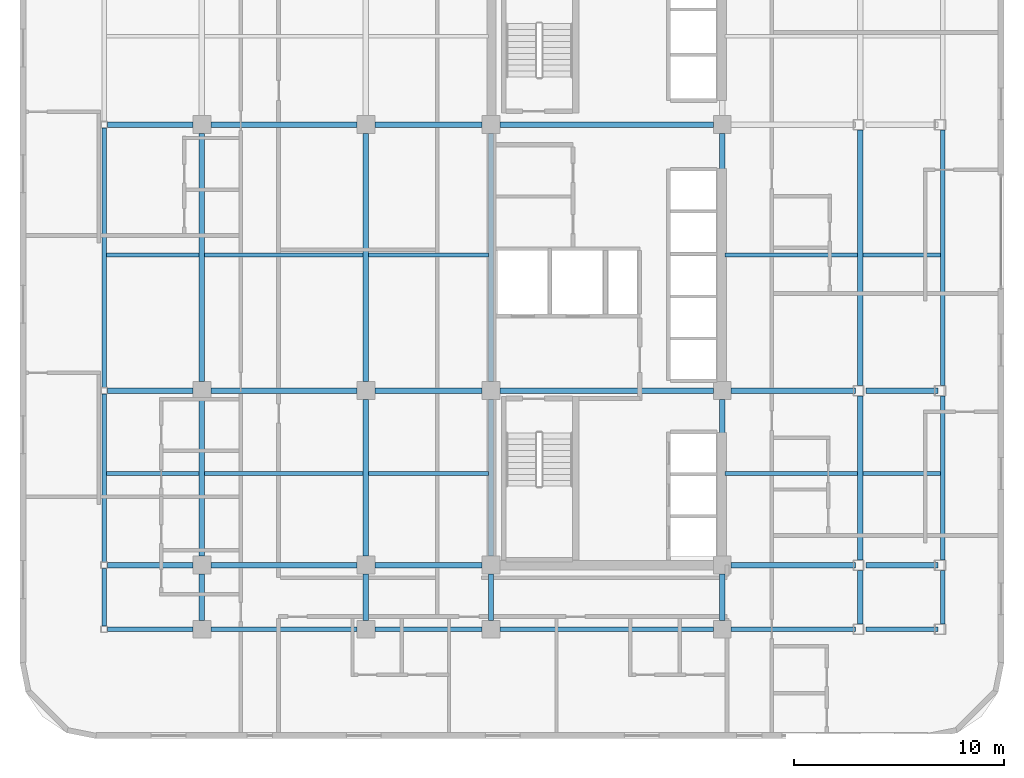
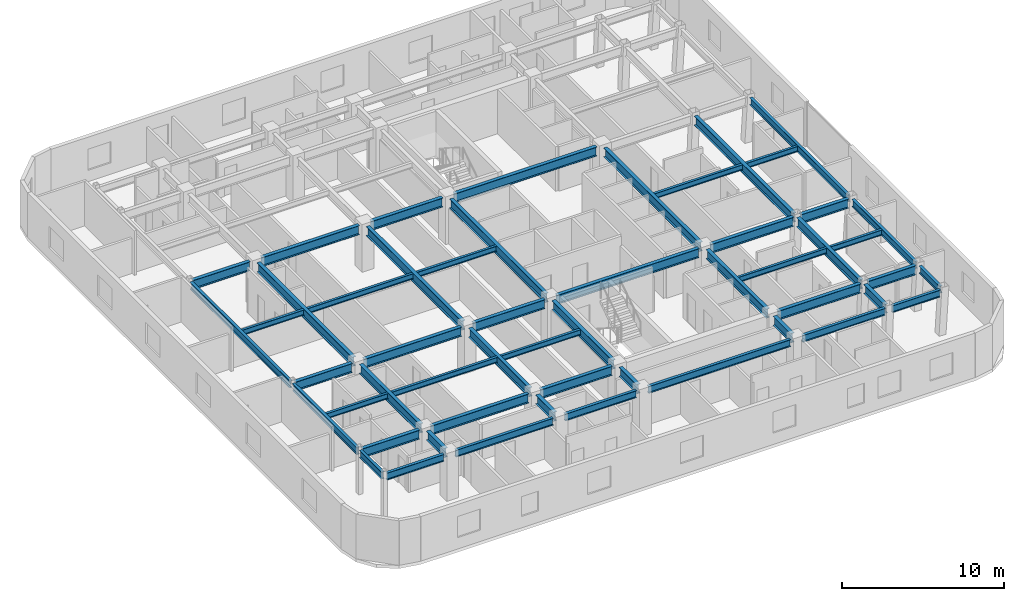
# One storey, part 4 of 13: 52 beams.
"""IFC4 building model written with IfcOpenShell, lengths in metres."""

from ifc_helpers import new_model, si_unit, direction, frame, origin, origin_2d, place, context, subcontext, project, spatial, i_section, extrude, material, material_profile, profile_set, type_object, element, save


model = new_model("IFC4")

# Units and contexts
model_context = context("Model", 3, precision=1e-05, world=origin(), true_north=direction((0.0, 1.0)))
body_context = subcontext(model_context, "Body", "Model", "MODEL_VIEW")
ifc_project = project(units=[si_unit("LENGTHUNIT", "METRE"), si_unit("AREAUNIT", "SQUARE_METRE"), si_unit("VOLUMEUNIT", "CUBIC_METRE"), si_unit("PLANEANGLEUNIT", "RADIAN"), si_unit("MASSUNIT", "GRAM", prefix="KILO")], contexts=[model_context])

# Site, building, storey
site_placement = place(None, origin())
site = spatial("IfcSite", under=ifc_project, at=site_placement, CompositionType="ELEMENT")
building_placement = place(site_placement, origin())
building = spatial("IfcBuilding", under=site, at=building_placement, Name="Ochreholt Gables", CompositionType="ELEMENT")
storey_placement = place(building_placement, frame((0.0, 0.0, 49.199951171875)))
storey = spatial("IfcBuildingStorey", under=building, at=storey_placement, Name="L12", CompositionType="ELEMENT", Elevation=49.199951171875)

# Beams
ifc_material = material(Name="Steel CSA G40.21 350W", Category="steel")
ifc_material_profile_1 = material_profile(ifc_material, i_section(OverallWidth=0.256103515625, OverallDepth=0.693115234375, WebThickness=0.014404296875, FlangeThickness=0.023681640625, at=origin_2d()), Name="W690X170")
ifc_profile_set_1 = profile_set([ifc_material_profile_1], Name="Steel CSA G40.21 350W")
beam_type_1 = type_object("IfcBeamType", Name="BM-G-W690", PredefinedType="BEAM", material=ifc_profile_set_1)
beam_1_placement = place(storey_placement, frame((5.9521484375, 9.25, 3.013427734375), z_axis=(1.0, 0.0, 0.0), x_axis=(0.0, 1.0, 0.0)))
element("IfcBeam", 1, at=beam_1_placement, inside=storey, type_object=beam_type_1, Name="L12 Beam TBG-L12-WTW2-Y2", PredefinedType="BEAM", context=body_context, shape_type="SweptSolid", body=[
    extrude(i_section(OverallWidth=0.256103515625, OverallDepth=0.693115234375, WebThickness=0.014404296875, FlangeThickness=0.023681640625, at=origin_2d()), origin(), (0.0, 0.0, 1.0), 4.0732421875),
])
beam_2_placement = place(storey_placement, frame((10.87451171875, 9.25, 3.013427734375), z_axis=(1.0, 0.0, 0.0), x_axis=(0.0, 1.0, 0.0)))
element("IfcBeam", 2, at=beam_2_placement, inside=storey, type_object=beam_type_1, Name="L12 Beam TBG-L12-W2W3-Y2", PredefinedType="BEAM", context=body_context, shape_type="SweptSolid", body=[
    extrude(i_section(OverallWidth=0.256103515625, OverallDepth=0.693115234375, WebThickness=0.014404296875, FlangeThickness=0.023681640625, at=origin_2d()), origin(), (0.0, 0.0, 1.0), 6.950927734375),
])
beam_3_placement = place(storey_placement, frame((18.674560546875, 9.25, 3.013427734375), z_axis=(1.0, 0.0, 0.0), x_axis=(0.0, 1.0, 0.0)))
element("IfcBeam", 3, at=beam_3_placement, inside=storey, type_object=beam_type_1, Name="L12 Beam TBG-L12-W3C1-Y2", PredefinedType="BEAM", context=body_context, shape_type="SweptSolid", body=[
    extrude(i_section(OverallWidth=0.256103515625, OverallDepth=0.693115234375, WebThickness=0.014404296875, FlangeThickness=0.023681640625, at=origin_2d()), origin(), (0.0, 0.0, 1.0), 5.100830078125),
])
beam_4_placement = place(storey_placement, frame((35.62451171875, 9.25, 3.013427734375), z_axis=(1.0, 0.0, 0.0), x_axis=(0.0, 1.0, 0.0)))
element("IfcBeam", 4, at=beam_4_placement, inside=storey, type_object=beam_type_1, Name="L12 Beam TBG-L12-C2EM-Y2", PredefinedType="BEAM", context=body_context, shape_type="SweptSolid", body=[
    extrude(i_section(OverallWidth=0.256103515625, OverallDepth=0.693115234375, WebThickness=0.014404296875, FlangeThickness=0.023681640625, at=origin_2d()), origin(), (0.0, 0.0, 1.0), 5.909912109375),
])
beam_5_placement = place(storey_placement, frame((42.03369140625, 9.25, 3.013427734375), z_axis=(1.0, 0.0, 0.0), x_axis=(0.0, 1.0, 0.0)))
element("IfcBeam", 5, at=beam_5_placement, inside=storey, type_object=beam_type_1, Name="L12 Beam TBG-L12-EMEE-Y2", PredefinedType="BEAM", context=body_context, shape_type="SweptSolid", body=[
    extrude(i_section(OverallWidth=0.256103515625, OverallDepth=0.693115234375, WebThickness=0.014404296875, FlangeThickness=0.023681640625, at=origin_2d()), origin(), (0.0, 0.0, 1.0), 3.435791015625),
])
beam_6_placement = place(storey_placement, frame((5.9521484375, 17.550048828125, 3.013427734375), z_axis=(1.0, 0.0, 0.0), x_axis=(0.0, 1.0, 0.0)))
element("IfcBeam", 6, at=beam_6_placement, inside=storey, type_object=beam_type_1, Name="L12 Beam TBG-L12-WTW2-Y3", PredefinedType="BEAM", context=body_context, shape_type="SweptSolid", body=[
    extrude(i_section(OverallWidth=0.256103515625, OverallDepth=0.693115234375, WebThickness=0.014404296875, FlangeThickness=0.023681640625, at=origin_2d()), origin(), (0.0, 0.0, 1.0), 4.0732421875),
])
beam_7_placement = place(storey_placement, frame((10.87451171875, 17.550048828125, 3.013427734375), z_axis=(1.0, 0.0, 0.0), x_axis=(0.0, 1.0, 0.0)))
element("IfcBeam", 7, at=beam_7_placement, inside=storey, type_object=beam_type_1, Name="L12 Beam TBG-L12-W2W3-Y3", PredefinedType="BEAM", context=body_context, shape_type="SweptSolid", body=[
    extrude(i_section(OverallWidth=0.256103515625, OverallDepth=0.693115234375, WebThickness=0.014404296875, FlangeThickness=0.023681640625, at=origin_2d()), origin(), (0.0, 0.0, 1.0), 6.950927734375),
])
beam_8_placement = place(storey_placement, frame((18.674560546875, 17.550048828125, 3.013427734375), z_axis=(1.0, 0.0, 0.0), x_axis=(0.0, 1.0, 0.0)))
element("IfcBeam", 8, at=beam_8_placement, inside=storey, type_object=beam_type_1, Name="L12 Beam TBG-L12-W3C1-Y3", PredefinedType="BEAM", context=body_context, shape_type="SweptSolid", body=[
    extrude(i_section(OverallWidth=0.256103515625, OverallDepth=0.693115234375, WebThickness=0.014404296875, FlangeThickness=0.023681640625, at=origin_2d()), origin(), (0.0, 0.0, 1.0), 5.100830078125),
])
beam_9_placement = place(storey_placement, frame((24.62451171875, 17.550048828125, 3.013427734375), z_axis=(1.0, 0.0, 0.0), x_axis=(0.0, 1.0, 0.0)))
element("IfcBeam", 9, at=beam_9_placement, inside=storey, type_object=beam_type_1, Name="L12 Beam TBG-L12-C1C2-Y3", PredefinedType="BEAM", context=body_context, shape_type="SweptSolid", body=[
    extrude(i_section(OverallWidth=0.256103515625, OverallDepth=0.693115234375, WebThickness=0.014404296875, FlangeThickness=0.023681640625, at=origin_2d()), origin(), (0.0, 0.0, 1.0), 10.15087890625),
])
beam_10_placement = place(storey_placement, frame((35.62451171875, 17.550048828125, 3.013427734375), z_axis=(1.0, 0.0, 0.0), x_axis=(0.0, 1.0, 0.0)))
element("IfcBeam", 10, at=beam_10_placement, inside=storey, type_object=beam_type_1, Name="L12 Beam TBG-L12-C2EM-Y3", PredefinedType="BEAM", context=body_context, shape_type="SweptSolid", body=[
    extrude(i_section(OverallWidth=0.256103515625, OverallDepth=0.693115234375, WebThickness=0.014404296875, FlangeThickness=0.023681640625, at=origin_2d()), origin(), (0.0, 0.0, 1.0), 5.909912109375),
])
beam_11_placement = place(storey_placement, frame((42.03369140625, 17.550048828125, 3.013427734375), z_axis=(1.0, 0.0, 0.0), x_axis=(0.0, 1.0, 0.0)))
element("IfcBeam", 11, at=beam_11_placement, inside=storey, type_object=beam_type_1, Name="L12 Beam TBG-L12-EMEE-Y3", PredefinedType="BEAM", context=body_context, shape_type="SweptSolid", body=[
    extrude(i_section(OverallWidth=0.256103515625, OverallDepth=0.693115234375, WebThickness=0.014404296875, FlangeThickness=0.023681640625, at=origin_2d()), origin(), (0.0, 0.0, 1.0), 3.435791015625),
])
beam_12_placement = place(storey_placement, frame((5.9521484375, 30.199951171875, 3.013427734375), z_axis=(1.0, 0.0, 0.0), x_axis=(0.0, 1.0, 0.0)))
element("IfcBeam", 12, at=beam_12_placement, inside=storey, type_object=beam_type_1, Name="L12 Beam TBG-L12-WTW2-Y4", PredefinedType="BEAM", context=body_context, shape_type="SweptSolid", body=[
    extrude(i_section(OverallWidth=0.256103515625, OverallDepth=0.693115234375, WebThickness=0.014404296875, FlangeThickness=0.023681640625, at=origin_2d()), origin(), (0.0, 0.0, 1.0), 4.0732421875),
])
beam_13_placement = place(storey_placement, frame((10.87451171875, 30.199951171875, 3.013427734375), z_axis=(1.0, 0.0, 0.0), x_axis=(0.0, 1.0, 0.0)))
element("IfcBeam", 13, at=beam_13_placement, inside=storey, type_object=beam_type_1, Name="L12 Beam TBG-L12-W2W3-Y4", PredefinedType="BEAM", context=body_context, shape_type="SweptSolid", body=[
    extrude(i_section(OverallWidth=0.256103515625, OverallDepth=0.693115234375, WebThickness=0.014404296875, FlangeThickness=0.023681640625, at=origin_2d()), origin(), (0.0, 0.0, 1.0), 6.950927734375),
])
beam_14_placement = place(storey_placement, frame((18.674560546875, 30.199951171875, 3.013427734375), z_axis=(1.0, 0.0, 0.0), x_axis=(0.0, 1.0, 0.0)))
element("IfcBeam", 14, at=beam_14_placement, inside=storey, type_object=beam_type_1, Name="L12 Beam TBG-L12-W3C1-Y4", PredefinedType="BEAM", context=body_context, shape_type="SweptSolid", body=[
    extrude(i_section(OverallWidth=0.256103515625, OverallDepth=0.693115234375, WebThickness=0.014404296875, FlangeThickness=0.023681640625, at=origin_2d()), origin(), (0.0, 0.0, 1.0), 5.100830078125),
])
beam_15_placement = place(storey_placement, frame((24.62451171875, 30.199951171875, 3.013427734375), z_axis=(1.0, 0.0, 0.0), x_axis=(0.0, 1.0, 0.0)))
element("IfcBeam", 15, at=beam_15_placement, inside=storey, type_object=beam_type_1, Name="L12 Beam TBG-L12-C1C2-Y4", PredefinedType="BEAM", context=body_context, shape_type="SweptSolid", body=[
    extrude(i_section(OverallWidth=0.256103515625, OverallDepth=0.693115234375, WebThickness=0.014404296875, FlangeThickness=0.023681640625, at=origin_2d()), origin(), (0.0, 0.0, 1.0), 10.15087890625),
])
beam_16_placement = place(storey_placement, frame((10.449951171875, 6.62451171875, 3.013427734375), z_axis=(0.0, 1.0, 0.0), x_axis=(-1.0, 0.0, 0.0)))
element("IfcBeam", 16, at=beam_16_placement, inside=storey, type_object=beam_type_1, Name="L12 Beam TBN-L12-W2-Y1Y2", PredefinedType="BEAM", context=body_context, shape_type="SweptSolid", body=[
    extrude(i_section(OverallWidth=0.256103515625, OverallDepth=0.693115234375, WebThickness=0.014404296875, FlangeThickness=0.023681640625, at=origin_2d()), origin(), (0.0, 0.0, 1.0), 2.200927734375),
])
beam_17_placement = place(storey_placement, frame((10.449951171875, 9.674560546875, 3.013427734375), z_axis=(0.0, 1.0, 0.0), x_axis=(-1.0, 0.0, 0.0)))
element("IfcBeam", 17, at=beam_17_placement, inside=storey, type_object=beam_type_1, Name="L12 Beam TBN-L12-W2-Y2Y3", PredefinedType="BEAM", context=body_context, shape_type="SweptSolid", body=[
    extrude(i_section(OverallWidth=0.256103515625, OverallDepth=0.693115234375, WebThickness=0.014404296875, FlangeThickness=0.023681640625, at=origin_2d()), origin(), (0.0, 0.0, 1.0), 7.450927734375),
])
beam_18_placement = place(storey_placement, frame((10.449951171875, 17.974609375, 3.013427734375), z_axis=(0.0, 1.0, 0.0), x_axis=(-1.0, 0.0, 0.0)))
element("IfcBeam", 18, at=beam_18_placement, inside=storey, type_object=beam_type_1, Name="L12 Beam TBN-L12-W2-Y3Y4", PredefinedType="BEAM", context=body_context, shape_type="SweptSolid", body=[
    extrude(i_section(OverallWidth=0.256103515625, OverallDepth=0.693115234375, WebThickness=0.014404296875, FlangeThickness=0.023681640625, at=origin_2d()), origin(), (0.0, 0.0, 1.0), 11.80078125),
])
beam_19_placement = place(storey_placement, frame((18.25, 6.62451171875, 3.013427734375), z_axis=(0.0, 1.0, 0.0), x_axis=(-1.0, 0.0, 0.0)))
element("IfcBeam", 19, at=beam_19_placement, inside=storey, type_object=beam_type_1, Name="L12 Beam TBN-L12-W3-Y1Y2", PredefinedType="BEAM", context=body_context, shape_type="SweptSolid", body=[
    extrude(i_section(OverallWidth=0.256103515625, OverallDepth=0.693115234375, WebThickness=0.014404296875, FlangeThickness=0.023681640625, at=origin_2d()), origin(), (0.0, 0.0, 1.0), 2.200927734375),
])
beam_20_placement = place(storey_placement, frame((18.25, 9.674560546875, 3.013427734375), z_axis=(0.0, 1.0, 0.0), x_axis=(-1.0, 0.0, 0.0)))
element("IfcBeam", 20, at=beam_20_placement, inside=storey, type_object=beam_type_1, Name="L12 Beam TBN-L12-W3-Y2Y3", PredefinedType="BEAM", context=body_context, shape_type="SweptSolid", body=[
    extrude(i_section(OverallWidth=0.256103515625, OverallDepth=0.693115234375, WebThickness=0.014404296875, FlangeThickness=0.023681640625, at=origin_2d()), origin(), (0.0, 0.0, 1.0), 7.450927734375),
])
beam_21_placement = place(storey_placement, frame((18.25, 17.974609375, 3.013427734375), z_axis=(0.0, 1.0, 0.0), x_axis=(-1.0, 0.0, 0.0)))
element("IfcBeam", 21, at=beam_21_placement, inside=storey, type_object=beam_type_1, Name="L12 Beam TBN-L12-W3-Y3Y4", PredefinedType="BEAM", context=body_context, shape_type="SweptSolid", body=[
    extrude(i_section(OverallWidth=0.256103515625, OverallDepth=0.693115234375, WebThickness=0.014404296875, FlangeThickness=0.023681640625, at=origin_2d()), origin(), (0.0, 0.0, 1.0), 11.80078125),
])
beam_22_placement = place(storey_placement, frame((24.199951171875, 6.62451171875, 3.013427734375), z_axis=(0.0, 1.0, 0.0), x_axis=(-1.0, 0.0, 0.0)))
element("IfcBeam", 22, at=beam_22_placement, inside=storey, type_object=beam_type_1, Name="L12 Beam TBN-L12-C1-Y1Y2", PredefinedType="BEAM", context=body_context, shape_type="SweptSolid", body=[
    extrude(i_section(OverallWidth=0.256103515625, OverallDepth=0.693115234375, WebThickness=0.014404296875, FlangeThickness=0.023681640625, at=origin_2d()), origin(), (0.0, 0.0, 1.0), 2.200927734375),
])
beam_23_placement = place(storey_placement, frame((24.199951171875, 9.674560546875, 3.013427734375), z_axis=(0.0, 1.0, 0.0), x_axis=(-1.0, 0.0, 0.0)))
element("IfcBeam", 23, at=beam_23_placement, inside=storey, type_object=beam_type_1, Name="L12 Beam TBN-L12-C1-Y2Y3", PredefinedType="BEAM", context=body_context, shape_type="SweptSolid", body=[
    extrude(i_section(OverallWidth=0.256103515625, OverallDepth=0.693115234375, WebThickness=0.014404296875, FlangeThickness=0.023681640625, at=origin_2d()), origin(), (0.0, 0.0, 1.0), 7.450927734375),
])
beam_24_placement = place(storey_placement, frame((24.199951171875, 17.974609375, 3.013427734375), z_axis=(0.0, 1.0, 0.0), x_axis=(-1.0, 0.0, 0.0)))
element("IfcBeam", 24, at=beam_24_placement, inside=storey, type_object=beam_type_1, Name="L12 Beam TBN-L12-C1-Y3Y4", PredefinedType="BEAM", context=body_context, shape_type="SweptSolid", body=[
    extrude(i_section(OverallWidth=0.256103515625, OverallDepth=0.693115234375, WebThickness=0.014404296875, FlangeThickness=0.023681640625, at=origin_2d()), origin(), (0.0, 0.0, 1.0), 11.80078125),
])
beam_25_placement = place(storey_placement, frame((35.199951171875, 6.62451171875, 3.013427734375), z_axis=(0.0, 1.0, 0.0), x_axis=(-1.0, 0.0, 0.0)))
element("IfcBeam", 25, at=beam_25_placement, inside=storey, type_object=beam_type_1, Name="L12 Beam TBN-L12-C2-Y1Y2", PredefinedType="BEAM", context=body_context, shape_type="SweptSolid", body=[
    extrude(i_section(OverallWidth=0.256103515625, OverallDepth=0.693115234375, WebThickness=0.014404296875, FlangeThickness=0.023681640625, at=origin_2d()), origin(), (0.0, 0.0, 1.0), 2.200927734375),
])
beam_26_placement = place(storey_placement, frame((35.199951171875, 9.674560546875, 3.013427734375), z_axis=(0.0, 1.0, 0.0), x_axis=(-1.0, 0.0, 0.0)))
element("IfcBeam", 26, at=beam_26_placement, inside=storey, type_object=beam_type_1, Name="L12 Beam TBN-L12-C2-Y2Y3", PredefinedType="BEAM", context=body_context, shape_type="SweptSolid", body=[
    extrude(i_section(OverallWidth=0.256103515625, OverallDepth=0.693115234375, WebThickness=0.014404296875, FlangeThickness=0.023681640625, at=origin_2d()), origin(), (0.0, 0.0, 1.0), 7.450927734375),
])
beam_27_placement = place(storey_placement, frame((35.199951171875, 17.974609375, 3.013427734375), z_axis=(0.0, 1.0, 0.0), x_axis=(-1.0, 0.0, 0.0)))
element("IfcBeam", 27, at=beam_27_placement, inside=storey, type_object=beam_type_1, Name="L12 Beam TBN-L12-C2-Y3Y4", PredefinedType="BEAM", context=body_context, shape_type="SweptSolid", body=[
    extrude(i_section(OverallWidth=0.256103515625, OverallDepth=0.693115234375, WebThickness=0.014404296875, FlangeThickness=0.023681640625, at=origin_2d()), origin(), (0.0, 0.0, 1.0), 11.80078125),
])
beam_28_placement = place(storey_placement, frame((41.766845703125, 6.44970703125, 3.013427734375), z_axis=(0.0, 1.0, 0.0), x_axis=(-1.0, 0.0, 0.0)))
element("IfcBeam", 28, at=beam_28_placement, inside=storey, type_object=beam_type_1, Name="L12 Beam TBN-L12-EM-Y1Y2", PredefinedType="BEAM", context=body_context, shape_type="SweptSolid", body=[
    extrude(i_section(OverallWidth=0.256103515625, OverallDepth=0.693115234375, WebThickness=0.014404296875, FlangeThickness=0.023681640625, at=origin_2d()), origin(), (0.0, 0.0, 1.0), 2.55078125),
])
beam_29_placement = place(storey_placement, frame((41.766845703125, 9.49951171875, 3.013427734375), z_axis=(0.0, 1.0, 0.0), x_axis=(-1.0, 0.0, 0.0)))
element("IfcBeam", 29, at=beam_29_placement, inside=storey, type_object=beam_type_1, Name="L12 Beam TBN-L12-EM-Y2Y3", PredefinedType="BEAM", context=body_context, shape_type="SweptSolid", body=[
    extrude(i_section(OverallWidth=0.256103515625, OverallDepth=0.693115234375, WebThickness=0.014404296875, FlangeThickness=0.023681640625, at=origin_2d()), origin(), (0.0, 0.0, 1.0), 7.80078125),
])
beam_30_placement = place(storey_placement, frame((41.766845703125, 17.799560546875, 3.013427734375), z_axis=(0.0, 1.0, 0.0), x_axis=(-1.0, 0.0, 0.0)))
element("IfcBeam", 30, at=beam_30_placement, inside=storey, type_object=beam_type_1, Name="L12 Beam TBN-L12-EM-Y3Y4", PredefinedType="BEAM", context=body_context, shape_type="SweptSolid", body=[
    extrude(i_section(OverallWidth=0.256103515625, OverallDepth=0.693115234375, WebThickness=0.014404296875, FlangeThickness=0.023681640625, at=origin_2d()), origin(), (0.0, 0.0, 1.0), 12.15087890625),
])
ifc_material_profile_2 = material_profile(ifc_material, i_section(OverallWidth=0.178955078125, OverallDepth=0.409912109375, WebThickness=0.0087890625, FlangeThickness=0.014404296875, at=origin_2d()), Name="W410X67")
ifc_profile_set_2 = profile_set([ifc_material_profile_2], Name="Steel CSA G40.21 350W")
beam_type_2 = type_object("IfcBeamType", Name="BM-J-W410", PredefinedType="JOIST", material=ifc_profile_set_2)
beam_31_placement = place(storey_placement, frame((5.904052734375, 13.60009765625, 3.155029296875), z_axis=(1.0, 0.0, 0.0), x_axis=(0.0, 1.0, 0.0)))
element("IfcBeam", 31, at=beam_31_placement, inside=storey, type_object=beam_type_2, Name="L12 Beam TBJ-L12-J1-WTW2", PredefinedType="JOIST", context=body_context, shape_type="SweptSolid", body=[
    extrude(i_section(OverallWidth=0.178955078125, OverallDepth=0.409912109375, WebThickness=0.0087890625, FlangeThickness=0.014404296875, at=origin_2d()), origin(), (0.0, 0.0, 1.0), 4.41845703125),
])
beam_32_placement = place(storey_placement, frame((10.57763671875, 13.60009765625, 3.155029296875), z_axis=(1.0, 0.0, 0.0), x_axis=(0.0, 1.0, 0.0)))
element("IfcBeam", 32, at=beam_32_placement, inside=storey, type_object=beam_type_2, Name="L12 Beam TBJ-L12-J1-W2W3", PredefinedType="JOIST", context=body_context, shape_type="SweptSolid", body=[
    extrude(i_section(OverallWidth=0.178955078125, OverallDepth=0.409912109375, WebThickness=0.0087890625, FlangeThickness=0.014404296875, at=origin_2d()), origin(), (0.0, 0.0, 1.0), 7.544677734375),
])
beam_33_placement = place(storey_placement, frame((18.377685546875, 13.60009765625, 3.155029296875), z_axis=(1.0, 0.0, 0.0), x_axis=(0.0, 1.0, 0.0)))
element("IfcBeam", 33, at=beam_33_placement, inside=storey, type_object=beam_type_2, Name="L12 Beam TBJ-L12-J1-W3C1", PredefinedType="JOIST", context=body_context, shape_type="SweptSolid", body=[
    extrude(i_section(OverallWidth=0.178955078125, OverallDepth=0.409912109375, WebThickness=0.0087890625, FlangeThickness=0.014404296875, at=origin_2d()), origin(), (0.0, 0.0, 1.0), 5.69482421875),
])
beam_34_placement = place(storey_placement, frame((35.32763671875, 13.60009765625, 3.155029296875), z_axis=(1.0, 0.0, 0.0), x_axis=(0.0, 1.0, 0.0)))
element("IfcBeam", 34, at=beam_34_placement, inside=storey, type_object=beam_type_2, Name="L12 Beam TBJ-L12-J1-C2EM", PredefinedType="JOIST", context=body_context, shape_type="SweptSolid", body=[
    extrude(i_section(OverallWidth=0.178955078125, OverallDepth=0.409912109375, WebThickness=0.0087890625, FlangeThickness=0.014404296875, at=origin_2d()), origin(), (0.0, 0.0, 1.0), 6.3115234375),
])
beam_35_placement = place(storey_placement, frame((41.894287109375, 13.60009765625, 3.155029296875), z_axis=(1.0, 0.0, 0.0), x_axis=(0.0, 1.0, 0.0)))
element("IfcBeam", 35, at=beam_35_placement, inside=storey, type_object=beam_type_2, Name="L12 Beam TBJ-L12-J1-EMEE", PredefinedType="JOIST", context=body_context, shape_type="SweptSolid", body=[
    extrude(i_section(OverallWidth=0.178955078125, OverallDepth=0.409912109375, WebThickness=0.0087890625, FlangeThickness=0.014404296875, at=origin_2d()), origin(), (0.0, 0.0, 1.0), 3.6923828125),
])
beam_36_placement = place(storey_placement, frame((5.904052734375, 24.0, 3.155029296875), z_axis=(1.0, 0.0, 0.0), x_axis=(0.0, 1.0, 0.0)))
element("IfcBeam", 36, at=beam_36_placement, inside=storey, type_object=beam_type_2, Name="L12 Beam TBJ-L12-J2-WTW2", PredefinedType="JOIST", context=body_context, shape_type="SweptSolid", body=[
    extrude(i_section(OverallWidth=0.178955078125, OverallDepth=0.409912109375, WebThickness=0.0087890625, FlangeThickness=0.014404296875, at=origin_2d()), origin(), (0.0, 0.0, 1.0), 4.41845703125),
])
beam_37_placement = place(storey_placement, frame((10.57763671875, 24.0, 3.155029296875), z_axis=(1.0, 0.0, 0.0), x_axis=(0.0, 1.0, 0.0)))
element("IfcBeam", 37, at=beam_37_placement, inside=storey, type_object=beam_type_2, Name="L12 Beam TBJ-L12-J2-W2W3", PredefinedType="JOIST", context=body_context, shape_type="SweptSolid", body=[
    extrude(i_section(OverallWidth=0.178955078125, OverallDepth=0.409912109375, WebThickness=0.0087890625, FlangeThickness=0.014404296875, at=origin_2d()), origin(), (0.0, 0.0, 1.0), 7.544677734375),
])
beam_38_placement = place(storey_placement, frame((18.377685546875, 24.0, 3.155029296875), z_axis=(1.0, 0.0, 0.0), x_axis=(0.0, 1.0, 0.0)))
element("IfcBeam", 38, at=beam_38_placement, inside=storey, type_object=beam_type_2, Name="L12 Beam TBJ-L12-J2-W3C1", PredefinedType="JOIST", context=body_context, shape_type="SweptSolid", body=[
    extrude(i_section(OverallWidth=0.178955078125, OverallDepth=0.409912109375, WebThickness=0.0087890625, FlangeThickness=0.014404296875, at=origin_2d()), origin(), (0.0, 0.0, 1.0), 5.69482421875),
])
beam_39_placement = place(storey_placement, frame((35.32763671875, 24.0, 3.155029296875), z_axis=(1.0, 0.0, 0.0), x_axis=(0.0, 1.0, 0.0)))
element("IfcBeam", 39, at=beam_39_placement, inside=storey, type_object=beam_type_2, Name="L12 Beam TBJ-L12-J2-C2EM", PredefinedType="JOIST", context=body_context, shape_type="SweptSolid", body=[
    extrude(i_section(OverallWidth=0.178955078125, OverallDepth=0.409912109375, WebThickness=0.0087890625, FlangeThickness=0.014404296875, at=origin_2d()), origin(), (0.0, 0.0, 1.0), 6.3115234375),
])
beam_40_placement = place(storey_placement, frame((41.894287109375, 24.0, 3.155029296875), z_axis=(1.0, 0.0, 0.0), x_axis=(0.0, 1.0, 0.0)))
element("IfcBeam", 40, at=beam_40_placement, inside=storey, type_object=beam_type_2, Name="L12 Beam TBJ-L12-J2-EMEE", PredefinedType="JOIST", context=body_context, shape_type="SweptSolid", body=[
    extrude(i_section(OverallWidth=0.178955078125, OverallDepth=0.409912109375, WebThickness=0.0087890625, FlangeThickness=0.014404296875, at=origin_2d()), origin(), (0.0, 0.0, 1.0), 3.6923828125),
])
ifc_material_profile_3 = material_profile(ifc_material, i_section(OverallWidth=0.208984375, OverallDepth=0.532958984375, WebThickness=0.01025390625, FlangeThickness=0.015625, at=origin_2d()), Name="W530X92")
ifc_profile_set_3 = profile_set([ifc_material_profile_3], Name="Steel CSA G40.21 350W")
beam_type_3 = type_object("IfcBeamType", Name="BM-SP-W530B", PredefinedType="SPANDREL", material=ifc_profile_set_3)
beam_41_placement = place(storey_placement, frame((5.9521484375, 6.199951171875, 3.093505859375), z_axis=(1.0, 0.0, 0.0), x_axis=(0.0, 1.0, 0.0)))
element("IfcBeam", 41, at=beam_41_placement, inside=storey, type_object=beam_type_3, Name="L12 Beam TBG-L12-WTW2-Y1", PredefinedType="SPANDREL", context=body_context, shape_type="SweptSolid", body=[
    extrude(i_section(OverallWidth=0.208984375, OverallDepth=0.532958984375, WebThickness=0.01025390625, FlangeThickness=0.015625, at=origin_2d()), origin(), (0.0, 0.0, 1.0), 4.0732421875),
])
beam_42_placement = place(storey_placement, frame((10.87451171875, 6.199951171875, 3.093505859375), z_axis=(1.0, 0.0, 0.0), x_axis=(0.0, 1.0, 0.0)))
element("IfcBeam", 42, at=beam_42_placement, inside=storey, type_object=beam_type_3, Name="L12 Beam TBG-L12-W2W3-Y1", PredefinedType="SPANDREL", context=body_context, shape_type="SweptSolid", body=[
    extrude(i_section(OverallWidth=0.208984375, OverallDepth=0.532958984375, WebThickness=0.01025390625, FlangeThickness=0.015625, at=origin_2d()), origin(), (0.0, 0.0, 1.0), 6.950927734375),
])
beam_43_placement = place(storey_placement, frame((18.674560546875, 6.199951171875, 3.093505859375), z_axis=(1.0, 0.0, 0.0), x_axis=(0.0, 1.0, 0.0)))
element("IfcBeam", 43, at=beam_43_placement, inside=storey, type_object=beam_type_3, Name="L12 Beam TBG-L12-W3C1-Y1", PredefinedType="SPANDREL", context=body_context, shape_type="SweptSolid", body=[
    extrude(i_section(OverallWidth=0.208984375, OverallDepth=0.532958984375, WebThickness=0.01025390625, FlangeThickness=0.015625, at=origin_2d()), origin(), (0.0, 0.0, 1.0), 5.100830078125),
])
beam_44_placement = place(storey_placement, frame((24.62451171875, 6.199951171875, 3.093505859375), z_axis=(1.0, 0.0, 0.0), x_axis=(0.0, 1.0, 0.0)))
element("IfcBeam", 44, at=beam_44_placement, inside=storey, type_object=beam_type_3, Name="L12 Beam TBG-L12-C1C2-Y1", PredefinedType="SPANDREL", context=body_context, shape_type="SweptSolid", body=[
    extrude(i_section(OverallWidth=0.208984375, OverallDepth=0.532958984375, WebThickness=0.01025390625, FlangeThickness=0.015625, at=origin_2d()), origin(), (0.0, 0.0, 1.0), 10.15087890625),
])
beam_45_placement = place(storey_placement, frame((35.62451171875, 6.199951171875, 3.093505859375), z_axis=(1.0, 0.0, 0.0), x_axis=(0.0, 1.0, 0.0)))
element("IfcBeam", 45, at=beam_45_placement, inside=storey, type_object=beam_type_3, Name="L12 Beam TBG-L12-C2EM-Y1", PredefinedType="SPANDREL", context=body_context, shape_type="SweptSolid", body=[
    extrude(i_section(OverallWidth=0.208984375, OverallDepth=0.532958984375, WebThickness=0.01025390625, FlangeThickness=0.015625, at=origin_2d()), origin(), (0.0, 0.0, 1.0), 5.909912109375),
])
beam_46_placement = place(storey_placement, frame((42.03369140625, 6.199951171875, 3.093505859375), z_axis=(1.0, 0.0, 0.0), x_axis=(0.0, 1.0, 0.0)))
element("IfcBeam", 46, at=beam_46_placement, inside=storey, type_object=beam_type_3, Name="L12 Beam TBG-L12-EMEE-Y1", PredefinedType="SPANDREL", context=body_context, shape_type="SweptSolid", body=[
    extrude(i_section(OverallWidth=0.208984375, OverallDepth=0.532958984375, WebThickness=0.01025390625, FlangeThickness=0.015625, at=origin_2d()), origin(), (0.0, 0.0, 1.0), 3.435791015625),
])
beam_47_placement = place(storey_placement, frame((5.800048828125, 6.35205078125, 3.093505859375), z_axis=(0.0, 1.0, 0.0), x_axis=(-1.0, 0.0, 0.0)))
element("IfcBeam", 47, at=beam_47_placement, inside=storey, type_object=beam_type_3, Name="L12 Beam TBN-L12-WT-Y1Y2", PredefinedType="SPANDREL", context=body_context, shape_type="SweptSolid", body=[
    extrude(i_section(OverallWidth=0.208984375, OverallDepth=0.532958984375, WebThickness=0.01025390625, FlangeThickness=0.015625, at=origin_2d()), origin(), (0.0, 0.0, 1.0), 2.745849609375),
])
beam_48_placement = place(storey_placement, frame((5.800048828125, 9.402099609375, 3.093505859375), z_axis=(0.0, 1.0, 0.0), x_axis=(-1.0, 0.0, 0.0)))
element("IfcBeam", 48, at=beam_48_placement, inside=storey, type_object=beam_type_3, Name="L12 Beam TBN-L12-WT-Y2Y3", PredefinedType="SPANDREL", context=body_context, shape_type="SweptSolid", body=[
    extrude(i_section(OverallWidth=0.208984375, OverallDepth=0.532958984375, WebThickness=0.01025390625, FlangeThickness=0.015625, at=origin_2d()), origin(), (0.0, 0.0, 1.0), 7.995849609375),
])
beam_49_placement = place(storey_placement, frame((5.800048828125, 17.7021484375, 3.093505859375), z_axis=(0.0, 1.0, 0.0), x_axis=(-1.0, 0.0, 0.0)))
element("IfcBeam", 49, at=beam_49_placement, inside=storey, type_object=beam_type_3, Name="L12 Beam TBN-L12-WT-Y3Y4", PredefinedType="SPANDREL", context=body_context, shape_type="SweptSolid", body=[
    extrude(i_section(OverallWidth=0.208984375, OverallDepth=0.532958984375, WebThickness=0.01025390625, FlangeThickness=0.015625, at=origin_2d()), origin(), (0.0, 0.0, 1.0), 12.345703125),
])
beam_50_placement = place(storey_placement, frame((45.69091796875, 6.44970703125, 3.093505859375), z_axis=(0.0, 1.0, 0.0), x_axis=(-1.0, 0.0, 0.0)))
element("IfcBeam", 50, at=beam_50_placement, inside=storey, type_object=beam_type_3, Name="L12 Beam TBN-L12-EE-Y1Y2", PredefinedType="SPANDREL", context=body_context, shape_type="SweptSolid", body=[
    extrude(i_section(OverallWidth=0.208984375, OverallDepth=0.532958984375, WebThickness=0.01025390625, FlangeThickness=0.015625, at=origin_2d()), origin(), (0.0, 0.0, 1.0), 2.55078125),
])
beam_51_placement = place(storey_placement, frame((45.69091796875, 9.49951171875, 3.093505859375), z_axis=(0.0, 1.0, 0.0), x_axis=(-1.0, 0.0, 0.0)))
element("IfcBeam", 51, at=beam_51_placement, inside=storey, type_object=beam_type_3, Name="L12 Beam TBN-L12-EE-Y2Y3", PredefinedType="SPANDREL", context=body_context, shape_type="SweptSolid", body=[
    extrude(i_section(OverallWidth=0.208984375, OverallDepth=0.532958984375, WebThickness=0.01025390625, FlangeThickness=0.015625, at=origin_2d()), origin(), (0.0, 0.0, 1.0), 7.80078125),
])
beam_52_placement = place(storey_placement, frame((45.69091796875, 17.799560546875, 3.093505859375), z_axis=(0.0, 1.0, 0.0), x_axis=(-1.0, 0.0, 0.0)))
element("IfcBeam", 52, at=beam_52_placement, inside=storey, type_object=beam_type_3, Name="L12 Beam TBN-L12-EE-Y3Y4", PredefinedType="SPANDREL", context=body_context, shape_type="SweptSolid", body=[
    extrude(i_section(OverallWidth=0.208984375, OverallDepth=0.532958984375, WebThickness=0.01025390625, FlangeThickness=0.015625, at=origin_2d()), origin(), (0.0, 0.0, 1.0), 12.15087890625),
])

save(model, "model.ifc")
